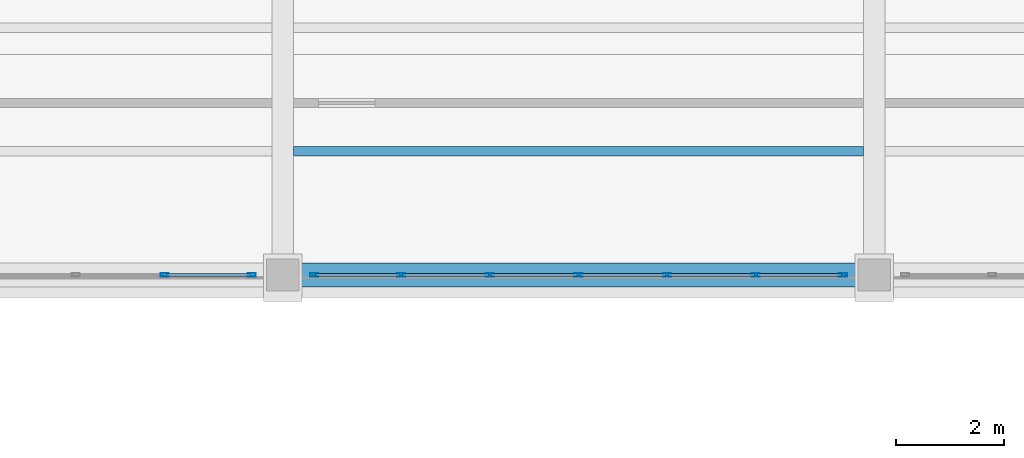
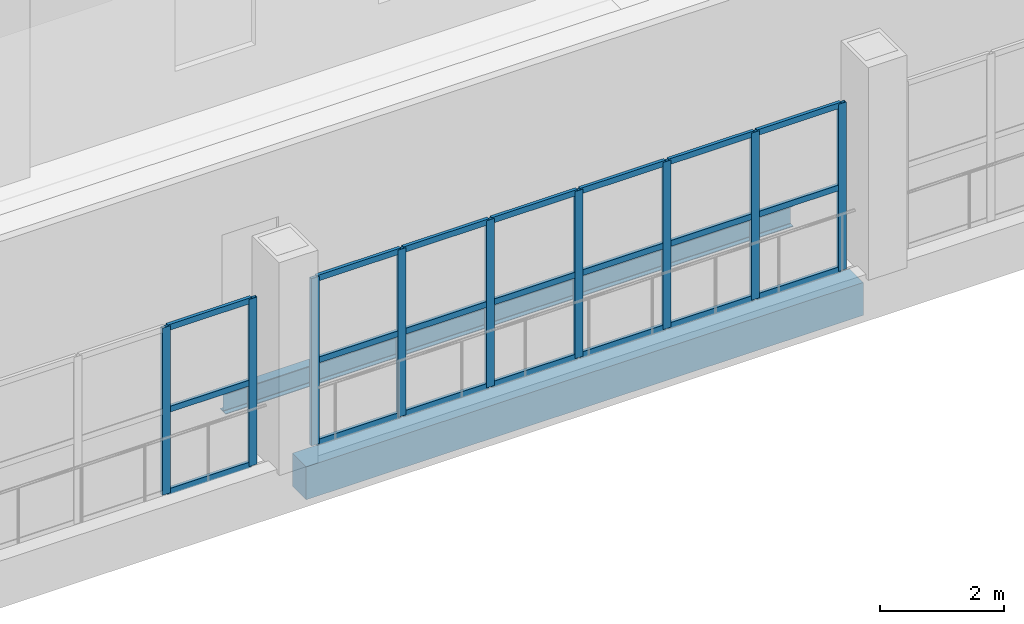
# One storey, part 63 of 120: 30 members, 2 beams, 2 elements without a shape of their own.
"""IFC4 building model written with IfcOpenShell, lengths in metres."""

from ifc_helpers import new_model, si_unit, direction, frame, origin, origin_2d, place, context, subcontext, project, spatial, rectangle, hollow_rectangle, i_section, extrude, material, material_profile, profile_set, type_object, element, aggregate, save


model = new_model("IFC4")

# Units and contexts
model_context = context("Model", 3, precision=1e-05, world=origin(), true_north=direction((0.0, 1.0)))
body_context = subcontext(model_context, "Body", "Model", "MODEL_VIEW")
ifc_project = project(units=[si_unit("LENGTHUNIT", "METRE"), si_unit("AREAUNIT", "SQUARE_METRE"), si_unit("VOLUMEUNIT", "CUBIC_METRE"), si_unit("PLANEANGLEUNIT", "RADIAN"), si_unit("MASSUNIT", "GRAM", prefix="KILO")], contexts=[model_context])

# Site, building, storey
site_placement = place(None, origin())
site = spatial("IfcSite", under=ifc_project, at=site_placement, CompositionType="ELEMENT")
building_placement = place(site_placement, origin())
building = spatial("IfcBuilding", under=site, at=building_placement, Name="Caurita Quay Ferry Terminal", CompositionType="ELEMENT")
storey_placement = place(building_placement, frame((0.0, 0.0, 9.89990234375)))
storey = spatial("IfcBuildingStorey", under=building, at=storey_placement, Name="L02", CompositionType="ELEMENT", Elevation=9.89990234375)

# Beams
ifc_material_1 = material(Name="Structural steel ASTM A992 Gr. 50", Category="steel")
ifc_material_profile_1 = material_profile(ifc_material_1, i_section(OverallWidth=0.1787109375, OverallDepth=0.408935546875, WebThickness=0.0087890625, FlangeThickness=0.014404296875, FilletRadius=0.011474609375, at=origin_2d()), Name="W16X45")
ifc_profile_set_1 = profile_set([ifc_material_profile_1], Name="Structural steel ASTM A992 Gr. 50")
beam_type_1 = type_object("IfcBeamType", Name="BM-JS-W16A", PredefinedType="JOIST", material=ifc_profile_set_1)
beam_1_placement = place(storey_placement, frame((33.199951171875, 110.10009765625, -0.42431640625), z_axis=(1.0, 0.0, 0.0), x_axis=(0.0, 1.0, 0.0)))
element("IfcBeam", 1, at=beam_1_placement, inside=storey, type_object=beam_type_1, Name="L02 Beam JS-V5-L02-029", PredefinedType="JOIST", context=body_context, shape_type="SweptSolid", body=[
    extrude(i_section(OverallWidth=0.1787109375, OverallDepth=0.408935546875, WebThickness=0.0087890625, FlangeThickness=0.014404296875, FilletRadius=0.011474609375, at=origin_2d()), origin(), (0.0, 0.0, 1.0), 10.60009765625),
])
ifc_material_2 = material(Name="Reinforced concrete C35/45", Category="concrete")
ifc_material_profile_2 = material_profile(ifc_material_2, rectangle(XDim=0.449951171875, YDim=0.64990234375, at=origin_2d()), Name="RC-BM-450X650")
ifc_profile_set_2 = profile_set([ifc_material_profile_2], Name="Reinforced concrete C35/45")
beam_type_2 = type_object("IfcBeamType", Name="BM-RC-4565", PredefinedType="BEAM", material=ifc_profile_set_2)
beam_2_placement = place(storey_placement, frame((33.297607421875, 107.800048828125, -0.544921875), z_axis=(1.0, 0.0, 0.0), x_axis=(0.0, 1.0, 0.0)))
element("IfcBeam", 2, at=beam_2_placement, inside=storey, type_object=beam_type_2, Name="L02 Beam BM-V5-L02-X-333-1078", PredefinedType="BEAM", context=body_context, shape_type="SweptSolid", body=[
    extrude(rectangle(XDim=0.449951171875, YDim=0.64990234375, at=origin_2d()), origin(), (0.0, 0.0, 1.0), 10.40478515625),
])

# Curtain wall, members
ifc_material_3 = material(Name="Laminated solar-control insulated glass", Category="glass")
curtain_wall_type = type_object("IfcCurtainWallType", Name="CW-SYS-24", PredefinedType="NOTDEFINED", material=ifc_material_3)
curtain_wall_1_placement = place(storey_placement, origin())
curtain_wall_1 = element("IfcCurtainWall", 3, at=curtain_wall_1_placement, inside=storey, type_object=curtain_wall_type, Name="L02 Courtyard Cloister Storefront 168", PredefinedType="NOTDEFINED")
ifc_material_4 = material(Name="Anodized aluminium 6063-T6", Category="aluminium")
ifc_material_profile_3 = material_profile(ifc_material_4, hollow_rectangle(XDim=0.06005859375, YDim=0.14990234375, WallThickness=0.00341796875, at=origin_2d()), Name="ALU-MUL-60X150")
ifc_profile_set_3 = profile_set([ifc_material_profile_3], Name="Anodized aluminium 6063-T6")
member_type_1 = type_object("IfcMemberType", Name="CW-MUL-150", PredefinedType="MULLION", material=ifc_profile_set_3)
member_1_placement = place(storey_placement, frame((30.800048828125, 107.800048828125, 0.0), z_axis=(0.0, 0.0, 1.0), x_axis=(0.0, 1.0, 0.0)))
member_1 = element("IfcMember", 4, at=member_1_placement, type_object=member_type_1, Name="CW-CRT-168 Mullion 6", PredefinedType="MULLION", context=body_context, shape_type="SweptSolid", body=[
    extrude(hollow_rectangle(XDim=0.06005859375, YDim=0.14990234375, WallThickness=0.00341796875, at=origin_2d()), origin(), (0.0, 0.0, 1.0), 3.300048828125),
])
member_2_placement = place(storey_placement, frame((32.419921875, 107.800048828125, 0.0), z_axis=(0.0, 0.0, 1.0), x_axis=(0.0, 1.0, 0.0)))
member_2 = element("IfcMember", 5, at=member_2_placement, type_object=member_type_1, Name="CW-CRT-168 Mullion 7", PredefinedType="MULLION", context=body_context, shape_type="SweptSolid", body=[
    extrude(hollow_rectangle(XDim=0.06005859375, YDim=0.14990234375, WallThickness=0.00341796875, at=origin_2d()), origin(), (0.0, 0.0, 1.0), 3.300048828125),
])

curtain_wall_2_placement = place(storey_placement, origin())
curtain_wall_2 = element("IfcCurtainWall", 6, at=curtain_wall_2_placement, inside=storey, type_object=curtain_wall_type, Name="L02 Courtyard Cloister Storefront 169", PredefinedType="NOTDEFINED")
member_3_placement = place(storey_placement, frame((33.580078125, 107.800048828125, 0.0), z_axis=(0.0, 0.0, 1.0), x_axis=(0.0, 1.0, 0.0)))
member_3 = element("IfcMember", 7, at=member_3_placement, type_object=member_type_1, Name="CW-CRT-169 Mullion 1", PredefinedType="MULLION", context=body_context, shape_type="SweptSolid", body=[
    extrude(hollow_rectangle(XDim=0.06005859375, YDim=0.14990234375, WallThickness=0.00341796875, at=origin_2d()), origin(), (0.0, 0.0, 1.0), 3.300048828125),
])
member_4_placement = place(storey_placement, frame((35.199951171875, 107.800048828125, 0.0), z_axis=(0.0, 0.0, 1.0), x_axis=(0.0, 1.0, 0.0)))
member_4 = element("IfcMember", 8, at=member_4_placement, type_object=member_type_1, Name="CW-CRT-169 Mullion 2", PredefinedType="MULLION", context=body_context, shape_type="SweptSolid", body=[
    extrude(hollow_rectangle(XDim=0.06005859375, YDim=0.14990234375, WallThickness=0.00341796875, at=origin_2d()), origin(), (0.0, 0.0, 1.0), 3.300048828125),
])
member_5_placement = place(storey_placement, frame((36.85009765625, 107.800048828125, 0.0), z_axis=(0.0, 0.0, 1.0), x_axis=(0.0, 1.0, 0.0)))
member_5 = element("IfcMember", 9, at=member_5_placement, type_object=member_type_1, Name="CW-CRT-169 Mullion 3", PredefinedType="MULLION", context=body_context, shape_type="SweptSolid", body=[
    extrude(hollow_rectangle(XDim=0.06005859375, YDim=0.14990234375, WallThickness=0.00341796875, at=origin_2d()), origin(), (0.0, 0.0, 1.0), 3.300048828125),
])
member_6_placement = place(storey_placement, frame((38.5, 107.800048828125, 0.0), z_axis=(0.0, 0.0, 1.0), x_axis=(0.0, 1.0, 0.0)))
member_6 = element("IfcMember", 10, at=member_6_placement, type_object=member_type_1, Name="CW-CRT-169 Mullion 4", PredefinedType="MULLION", context=body_context, shape_type="SweptSolid", body=[
    extrude(hollow_rectangle(XDim=0.06005859375, YDim=0.14990234375, WallThickness=0.00341796875, at=origin_2d()), origin(), (0.0, 0.0, 1.0), 3.300048828125),
])
member_7_placement = place(storey_placement, frame((40.14990234375, 107.800048828125, 0.0), z_axis=(0.0, 0.0, 1.0), x_axis=(0.0, 1.0, 0.0)))
member_7 = element("IfcMember", 11, at=member_7_placement, type_object=member_type_1, Name="CW-CRT-169 Mullion 5", PredefinedType="MULLION", context=body_context, shape_type="SweptSolid", body=[
    extrude(hollow_rectangle(XDim=0.06005859375, YDim=0.14990234375, WallThickness=0.00341796875, at=origin_2d()), origin(), (0.0, 0.0, 1.0), 3.300048828125),
])
member_8_placement = place(storey_placement, frame((41.800048828125, 107.800048828125, 0.0), z_axis=(0.0, 0.0, 1.0), x_axis=(0.0, 1.0, 0.0)))
member_8 = element("IfcMember", 12, at=member_8_placement, type_object=member_type_1, Name="CW-CRT-169 Mullion 6", PredefinedType="MULLION", context=body_context, shape_type="SweptSolid", body=[
    extrude(hollow_rectangle(XDim=0.06005859375, YDim=0.14990234375, WallThickness=0.00341796875, at=origin_2d()), origin(), (0.0, 0.0, 1.0), 3.300048828125),
])
member_9_placement = place(storey_placement, frame((43.419921875, 107.800048828125, 0.0), z_axis=(0.0, 0.0, 1.0), x_axis=(0.0, 1.0, 0.0)))
member_9 = element("IfcMember", 13, at=member_9_placement, type_object=member_type_1, Name="CW-CRT-169 Mullion 7", PredefinedType="MULLION", context=body_context, shape_type="SweptSolid", body=[
    extrude(hollow_rectangle(XDim=0.06005859375, YDim=0.14990234375, WallThickness=0.00341796875, at=origin_2d()), origin(), (0.0, 0.0, 1.0), 3.300048828125),
])

# Member
ifc_material_profile_4 = material_profile(ifc_material_4, hollow_rectangle(XDim=0.06005859375, YDim=0.114990234375, WallThickness=0.00341796875, at=origin_2d()), Name="ALU-TRN-60X115")
ifc_profile_set_4 = profile_set([ifc_material_profile_4], Name="Anodized aluminium 6063-T6")
member_type_2 = type_object("IfcMemberType", Name="CW-TRN-115", PredefinedType="USERDEFINED", material=ifc_profile_set_4)
member_10_placement = place(storey_placement, frame((30.827880859375, 107.800048828125, 0.030029296875), z_axis=(1.0, 0.0, 0.0), x_axis=(0.0, 1.0, 0.0)))
member_10 = element("IfcMember", 14, at=member_10_placement, type_object=member_type_2, Name="CW-CRT-168 Transom 16", ObjectType="TRANSOM", PredefinedType="USERDEFINED", context=body_context, shape_type="SweptSolid", body=[
    extrude(hollow_rectangle(XDim=0.06005859375, YDim=0.114990234375, WallThickness=0.00341796875, at=origin_2d()), origin(), (0.0, 0.0, 1.0), 1.564208984375),
])

member_11_placement = place(storey_placement, frame((30.827880859375, 107.800048828125, 1.650146484375), z_axis=(1.0, 0.0, 0.0), x_axis=(0.0, 1.0, 0.0)))
member_11 = element("IfcMember", 15, at=member_11_placement, type_object=member_type_2, Name="CW-CRT-168 Transom 17", ObjectType="TRANSOM", PredefinedType="USERDEFINED", context=body_context, shape_type="SweptSolid", body=[
    extrude(hollow_rectangle(XDim=0.06005859375, YDim=0.114990234375, WallThickness=0.00341796875, at=origin_2d()), origin(), (0.0, 0.0, 1.0), 1.564208984375),
])

member_12_placement = place(storey_placement, frame((30.827880859375, 107.800048828125, 3.27001953125), z_axis=(1.0, 0.0, 0.0), x_axis=(0.0, 1.0, 0.0)))
member_12 = element("IfcMember", 16, at=member_12_placement, type_object=member_type_2, Name="CW-CRT-168 Transom 18", ObjectType="TRANSOM", PredefinedType="USERDEFINED", context=body_context, shape_type="SweptSolid", body=[
    extrude(hollow_rectangle(XDim=0.06005859375, YDim=0.114990234375, WallThickness=0.00341796875, at=origin_2d()), origin(), (0.0, 0.0, 1.0), 1.564208984375),
])

aggregate(curtain_wall_1, [member_1, member_2, member_10, member_11, member_12])

member_13_placement = place(storey_placement, frame((33.60791015625, 107.800048828125, 0.030029296875), z_axis=(1.0, 0.0, 0.0), x_axis=(0.0, 1.0, 0.0)))
member_13 = element("IfcMember", 17, at=member_13_placement, type_object=member_type_2, Name="CW-CRT-169 Transom 1", ObjectType="TRANSOM", PredefinedType="USERDEFINED", context=body_context, shape_type="SweptSolid", body=[
    extrude(hollow_rectangle(XDim=0.06005859375, YDim=0.114990234375, WallThickness=0.00341796875, at=origin_2d()), origin(), (0.0, 0.0, 1.0), 1.564208984375),
])

member_14_placement = place(storey_placement, frame((33.60791015625, 107.800048828125, 1.650146484375), z_axis=(1.0, 0.0, 0.0), x_axis=(0.0, 1.0, 0.0)))
member_14 = element("IfcMember", 18, at=member_14_placement, type_object=member_type_2, Name="CW-CRT-169 Transom 2", ObjectType="TRANSOM", PredefinedType="USERDEFINED", context=body_context, shape_type="SweptSolid", body=[
    extrude(hollow_rectangle(XDim=0.06005859375, YDim=0.114990234375, WallThickness=0.00341796875, at=origin_2d()), origin(), (0.0, 0.0, 1.0), 1.564208984375),
])

member_15_placement = place(storey_placement, frame((33.60791015625, 107.800048828125, 3.27001953125), z_axis=(1.0, 0.0, 0.0), x_axis=(0.0, 1.0, 0.0)))
member_15 = element("IfcMember", 19, at=member_15_placement, type_object=member_type_2, Name="CW-CRT-169 Transom 3", ObjectType="TRANSOM", PredefinedType="USERDEFINED", context=body_context, shape_type="SweptSolid", body=[
    extrude(hollow_rectangle(XDim=0.06005859375, YDim=0.114990234375, WallThickness=0.00341796875, at=origin_2d()), origin(), (0.0, 0.0, 1.0), 1.564208984375),
])

member_16_placement = place(storey_placement, frame((35.22802734375, 107.800048828125, 0.030029296875), z_axis=(1.0, 0.0, 0.0), x_axis=(0.0, 1.0, 0.0)))
member_16 = element("IfcMember", 20, at=member_16_placement, type_object=member_type_2, Name="CW-CRT-169 Transom 4", ObjectType="TRANSOM", PredefinedType="USERDEFINED", context=body_context, shape_type="SweptSolid", body=[
    extrude(hollow_rectangle(XDim=0.06005859375, YDim=0.114990234375, WallThickness=0.00341796875, at=origin_2d()), origin(), (0.0, 0.0, 1.0), 1.593994140625),
])

member_17_placement = place(storey_placement, frame((35.22802734375, 107.800048828125, 1.650146484375), z_axis=(1.0, 0.0, 0.0), x_axis=(0.0, 1.0, 0.0)))
member_17 = element("IfcMember", 21, at=member_17_placement, type_object=member_type_2, Name="CW-CRT-169 Transom 5", ObjectType="TRANSOM", PredefinedType="USERDEFINED", context=body_context, shape_type="SweptSolid", body=[
    extrude(hollow_rectangle(XDim=0.06005859375, YDim=0.114990234375, WallThickness=0.00341796875, at=origin_2d()), origin(), (0.0, 0.0, 1.0), 1.593994140625),
])

member_18_placement = place(storey_placement, frame((35.22802734375, 107.800048828125, 3.27001953125), z_axis=(1.0, 0.0, 0.0), x_axis=(0.0, 1.0, 0.0)))
member_18 = element("IfcMember", 22, at=member_18_placement, type_object=member_type_2, Name="CW-CRT-169 Transom 6", ObjectType="TRANSOM", PredefinedType="USERDEFINED", context=body_context, shape_type="SweptSolid", body=[
    extrude(hollow_rectangle(XDim=0.06005859375, YDim=0.114990234375, WallThickness=0.00341796875, at=origin_2d()), origin(), (0.0, 0.0, 1.0), 1.593994140625),
])

member_19_placement = place(storey_placement, frame((36.8779296875, 107.800048828125, 0.030029296875), z_axis=(1.0, 0.0, 0.0), x_axis=(0.0, 1.0, 0.0)))
member_19 = element("IfcMember", 23, at=member_19_placement, type_object=member_type_2, Name="CW-CRT-169 Transom 7", ObjectType="TRANSOM", PredefinedType="USERDEFINED", context=body_context, shape_type="SweptSolid", body=[
    extrude(hollow_rectangle(XDim=0.06005859375, YDim=0.114990234375, WallThickness=0.00341796875, at=origin_2d()), origin(), (0.0, 0.0, 1.0), 1.593994140625),
])

member_20_placement = place(storey_placement, frame((36.8779296875, 107.800048828125, 1.650146484375), z_axis=(1.0, 0.0, 0.0), x_axis=(0.0, 1.0, 0.0)))
member_20 = element("IfcMember", 24, at=member_20_placement, type_object=member_type_2, Name="CW-CRT-169 Transom 8", ObjectType="TRANSOM", PredefinedType="USERDEFINED", context=body_context, shape_type="SweptSolid", body=[
    extrude(hollow_rectangle(XDim=0.06005859375, YDim=0.114990234375, WallThickness=0.00341796875, at=origin_2d()), origin(), (0.0, 0.0, 1.0), 1.593994140625),
])

member_21_placement = place(storey_placement, frame((36.8779296875, 107.800048828125, 3.27001953125), z_axis=(1.0, 0.0, 0.0), x_axis=(0.0, 1.0, 0.0)))
member_21 = element("IfcMember", 25, at=member_21_placement, type_object=member_type_2, Name="CW-CRT-169 Transom 9", ObjectType="TRANSOM", PredefinedType="USERDEFINED", context=body_context, shape_type="SweptSolid", body=[
    extrude(hollow_rectangle(XDim=0.06005859375, YDim=0.114990234375, WallThickness=0.00341796875, at=origin_2d()), origin(), (0.0, 0.0, 1.0), 1.593994140625),
])

member_22_placement = place(storey_placement, frame((38.528076171875, 107.800048828125, 0.030029296875), z_axis=(1.0, 0.0, 0.0), x_axis=(0.0, 1.0, 0.0)))
member_22 = element("IfcMember", 26, at=member_22_placement, type_object=member_type_2, Name="CW-CRT-169 Transom 10", ObjectType="TRANSOM", PredefinedType="USERDEFINED", context=body_context, shape_type="SweptSolid", body=[
    extrude(hollow_rectangle(XDim=0.06005859375, YDim=0.114990234375, WallThickness=0.00341796875, at=origin_2d()), origin(), (0.0, 0.0, 1.0), 1.593994140625),
])

member_23_placement = place(storey_placement, frame((38.528076171875, 107.800048828125, 1.650146484375), z_axis=(1.0, 0.0, 0.0), x_axis=(0.0, 1.0, 0.0)))
member_23 = element("IfcMember", 27, at=member_23_placement, type_object=member_type_2, Name="CW-CRT-169 Transom 11", ObjectType="TRANSOM", PredefinedType="USERDEFINED", context=body_context, shape_type="SweptSolid", body=[
    extrude(hollow_rectangle(XDim=0.06005859375, YDim=0.114990234375, WallThickness=0.00341796875, at=origin_2d()), origin(), (0.0, 0.0, 1.0), 1.593994140625),
])

member_24_placement = place(storey_placement, frame((38.528076171875, 107.800048828125, 3.27001953125), z_axis=(1.0, 0.0, 0.0), x_axis=(0.0, 1.0, 0.0)))
member_24 = element("IfcMember", 28, at=member_24_placement, type_object=member_type_2, Name="CW-CRT-169 Transom 12", ObjectType="TRANSOM", PredefinedType="USERDEFINED", context=body_context, shape_type="SweptSolid", body=[
    extrude(hollow_rectangle(XDim=0.06005859375, YDim=0.114990234375, WallThickness=0.00341796875, at=origin_2d()), origin(), (0.0, 0.0, 1.0), 1.593994140625),
])

member_25_placement = place(storey_placement, frame((40.177978515625, 107.800048828125, 0.030029296875), z_axis=(1.0, 0.0, 0.0), x_axis=(0.0, 1.0, 0.0)))
member_25 = element("IfcMember", 29, at=member_25_placement, type_object=member_type_2, Name="CW-CRT-169 Transom 13", ObjectType="TRANSOM", PredefinedType="USERDEFINED", context=body_context, shape_type="SweptSolid", body=[
    extrude(hollow_rectangle(XDim=0.06005859375, YDim=0.114990234375, WallThickness=0.00341796875, at=origin_2d()), origin(), (0.0, 0.0, 1.0), 1.593994140625),
])

member_26_placement = place(storey_placement, frame((40.177978515625, 107.800048828125, 1.650146484375), z_axis=(1.0, 0.0, 0.0), x_axis=(0.0, 1.0, 0.0)))
member_26 = element("IfcMember", 30, at=member_26_placement, type_object=member_type_2, Name="CW-CRT-169 Transom 14", ObjectType="TRANSOM", PredefinedType="USERDEFINED", context=body_context, shape_type="SweptSolid", body=[
    extrude(hollow_rectangle(XDim=0.06005859375, YDim=0.114990234375, WallThickness=0.00341796875, at=origin_2d()), origin(), (0.0, 0.0, 1.0), 1.593994140625),
])

member_27_placement = place(storey_placement, frame((40.177978515625, 107.800048828125, 3.27001953125), z_axis=(1.0, 0.0, 0.0), x_axis=(0.0, 1.0, 0.0)))
member_27 = element("IfcMember", 31, at=member_27_placement, type_object=member_type_2, Name="CW-CRT-169 Transom 15", ObjectType="TRANSOM", PredefinedType="USERDEFINED", context=body_context, shape_type="SweptSolid", body=[
    extrude(hollow_rectangle(XDim=0.06005859375, YDim=0.114990234375, WallThickness=0.00341796875, at=origin_2d()), origin(), (0.0, 0.0, 1.0), 1.593994140625),
])

member_28_placement = place(storey_placement, frame((41.827880859375, 107.800048828125, 0.030029296875), z_axis=(1.0, 0.0, 0.0), x_axis=(0.0, 1.0, 0.0)))
member_28 = element("IfcMember", 32, at=member_28_placement, type_object=member_type_2, Name="CW-CRT-169 Transom 16", ObjectType="TRANSOM", PredefinedType="USERDEFINED", context=body_context, shape_type="SweptSolid", body=[
    extrude(hollow_rectangle(XDim=0.06005859375, YDim=0.114990234375, WallThickness=0.00341796875, at=origin_2d()), origin(), (0.0, 0.0, 1.0), 1.564208984375),
])

member_29_placement = place(storey_placement, frame((41.827880859375, 107.800048828125, 1.650146484375), z_axis=(1.0, 0.0, 0.0), x_axis=(0.0, 1.0, 0.0)))
member_29 = element("IfcMember", 33, at=member_29_placement, type_object=member_type_2, Name="CW-CRT-169 Transom 17", ObjectType="TRANSOM", PredefinedType="USERDEFINED", context=body_context, shape_type="SweptSolid", body=[
    extrude(hollow_rectangle(XDim=0.06005859375, YDim=0.114990234375, WallThickness=0.00341796875, at=origin_2d()), origin(), (0.0, 0.0, 1.0), 1.564208984375),
])

member_30_placement = place(storey_placement, frame((41.827880859375, 107.800048828125, 3.27001953125), z_axis=(1.0, 0.0, 0.0), x_axis=(0.0, 1.0, 0.0)))
member_30 = element("IfcMember", 34, at=member_30_placement, type_object=member_type_2, Name="CW-CRT-169 Transom 18", ObjectType="TRANSOM", PredefinedType="USERDEFINED", context=body_context, shape_type="SweptSolid", body=[
    extrude(hollow_rectangle(XDim=0.06005859375, YDim=0.114990234375, WallThickness=0.00341796875, at=origin_2d()), origin(), (0.0, 0.0, 1.0), 1.564208984375),
])

aggregate(curtain_wall_2, [member_3, member_4, member_5, member_6, member_7, member_8, member_9, member_13, member_14, member_15, member_16, member_17, member_18, member_19, member_20, member_21, member_22, member_23, member_24, member_25, member_26, member_27, member_28, member_29, member_30])

save(model, "model.ifc")
